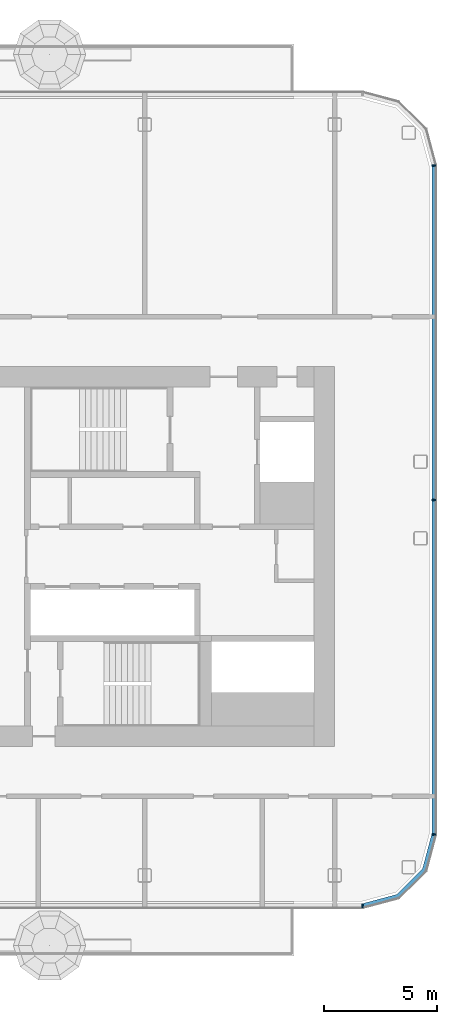
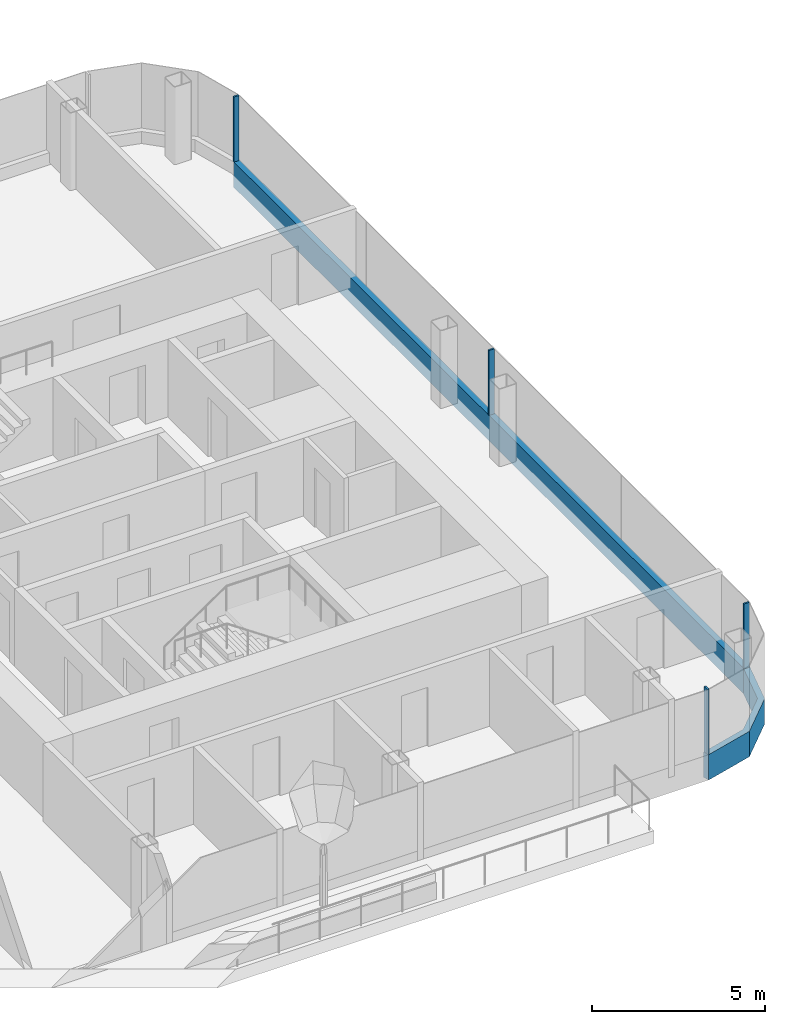
# One storey, part 7 of 29: 6 members, 3 elements without a shape of their own.
"""IFC4 building model written with IfcOpenShell, lengths in metres."""

from ifc_helpers import new_model, si_unit, direction, frame, origin, origin_2d, place, context, subcontext, project, spatial, polyline, rectangle, outline, extrude, material, layer, layer_set, material_profile, profile_set, type_object, element, aggregate, save


model = new_model("IFC4")

# Units and contexts
model_context = context("Model", 3, precision=1e-05, world=origin(), true_north=direction((0.0, 1.0)))
body_context = subcontext(model_context, "Body", "Model", "MODEL_VIEW")
ifc_project = project(units=[si_unit("LENGTHUNIT", "METRE"), si_unit("AREAUNIT", "SQUARE_METRE"), si_unit("VOLUMEUNIT", "CUBIC_METRE"), si_unit("PLANEANGLEUNIT", "RADIAN"), si_unit("MASSUNIT", "GRAM", prefix="KILO")], contexts=[model_context])

# Site, building, storey
site_placement = place(None, origin())
site = spatial("IfcSite", under=ifc_project, at=site_placement, CompositionType="ELEMENT")
building_placement = place(site_placement, origin())
building = spatial("IfcBuilding", under=site, at=building_placement, Name="Hakoniwa Tower and Hamabe Station Hall", CompositionType="ELEMENT")
storey_placement = place(building_placement, frame((0.0, 0.0, 205.800048828125)))
storey = spatial("IfcBuildingStorey", under=building, at=storey_placement, Name="L58", CompositionType="ELEMENT", Elevation=205.800048828125)

# Curtain wall, member
ifc_material_1 = material(Name="Dark low-e laminated glass", Category="glass")
ifc_layer = layer(ifc_material_1, 0.199951171875)
ifc_layer_set = layer_set([ifc_layer], Name="CW-1 UNITISED GUEST")
curtain_wall_type = type_object("IfcCurtainWallType", Name="CW-1 UNITISED GUEST", PredefinedType="NOTDEFINED", material=ifc_layer_set)
curtain_wall_1_placement = place(storey_placement, origin())
curtain_wall_1 = element("IfcCurtainWall", 1, at=curtain_wall_1_placement, inside=storey, type_object=curtain_wall_type, Name="CW-1 curtain wall", PredefinedType="NOTDEFINED")
ifc_material_2 = material(Name="Aluminium 6063-T5 black anodised", Category="aluminium")
ifc_material_profile_1 = material_profile(ifc_material_2, rectangle(XDim=0.199951171875, YDim=0.89990234375, at=origin_2d()), Name="CW SLAB-EDGE BAND 900X200")
ifc_profile_set_1 = profile_set([ifc_material_profile_1], Name="Aluminium 6063-T5 black anodised")
member_type_1 = type_object("IfcMemberType", Name="CW SLAB-EDGE BAND 900X200", PredefinedType="USERDEFINED", material=ifc_profile_set_1)
member_1_placement = place(storey_placement, frame((38.0, -12.28955078125, -0.10009765625), z_axis=(0.0, 1.0, 0.0), x_axis=(-1.0, 0.0, 0.0)))
member_1 = element("IfcMember", 2, at=member_1_placement, type_object=member_type_1, Name="CW-1 transom", ObjectType="TRANSOM", PredefinedType="USERDEFINED", context=body_context, shape_type="SweptSolid", body=[
    extrude(rectangle(XDim=0.199951171875, YDim=0.89990234375, at=origin_2d()), origin(), (0.0, 0.0, 1.0), 29.5791015625),
])

curtain_wall_2_placement = place(storey_placement, origin())
curtain_wall_2 = element("IfcCurtainWall", 3, at=curtain_wall_2_placement, inside=storey, type_object=curtain_wall_type, Name="CW-1 curtain wall", PredefinedType="NOTDEFINED")
member_2_placement = place(storey_placement, frame((0.0, 0.0, -0.550048828125)))
member_2 = element("IfcMember", 4, at=member_2_placement, type_object=member_type_1, Name="CW-1 transom", ObjectType="TRANSOM", PredefinedType="USERDEFINED", context=body_context, shape_type="SweptSolid", body=[
    extrude(outline(polyline([(34.839599609375, -15.550048828125), (36.455322265625, -15.116943359375), (37.6669921875, -13.9052734375), (38.10009765625, -12.28955078125), (37.90673828125, -12.23779296875), (37.48779296875, -13.8017578125), (36.351806640625, -14.937744140625), (34.787841796875, -15.35693359375), (34.839599609375, -15.550048828125)])), origin(), (0.0, 0.0, 1.0), 0.89990234375),
])
aggregate(curtain_wall_2, [member_2])

# Member
ifc_material_3 = material(Name="Aluminium 6063-T5 black anodised", Category="aluminium")
ifc_material_profile_2 = material_profile(ifc_material_3, rectangle(XDim=0.06005859375, YDim=0.179931640625, at=origin_2d()), Name="CW-1 MULLION 60X180")
ifc_profile_set_2 = profile_set([ifc_material_profile_2], Name="Aluminium 6063-T5 black anodised")
member_type_2 = type_object("IfcMemberType", Name="CW-1 MULLION 60X180", PredefinedType="MULLION", material=ifc_profile_set_2)
member_3_placement = place(storey_placement, frame((37.98193359375, -12.28955078125, 0.349853515625), z_axis=(0.0, 0.0, 1.0), x_axis=(0.0, 1.0, 0.0)))
member_3 = element("IfcMember", 5, at=member_3_placement, type_object=member_type_2, Name="CW-1 mullion", PredefinedType="MULLION", context=body_context, shape_type="SweptSolid", body=[
    extrude(rectangle(XDim=0.06005859375, YDim=0.179931640625, at=origin_2d()), origin(), (0.0, 0.0, 1.0), 2.300048828125),
])

member_4_placement = place(storey_placement, frame((37.98193359375, 2.5, 0.349853515625), z_axis=(0.0, 0.0, 1.0), x_axis=(0.0, 1.0, 0.0)))
member_4 = element("IfcMember", 6, at=member_4_placement, type_object=member_type_2, Name="CW-1 mullion", PredefinedType="MULLION", context=body_context, shape_type="SweptSolid", body=[
    extrude(rectangle(XDim=0.06005859375, YDim=0.179931640625, at=origin_2d()), origin(), (0.0, 0.0, 1.0), 2.300048828125),
])

member_5_placement = place(storey_placement, frame((37.98193359375, 17.28955078125, 0.349853515625), z_axis=(0.0, 0.0, 1.0), x_axis=(0.0, 1.0, 0.0)))
member_5 = element("IfcMember", 7, at=member_5_placement, type_object=member_type_2, Name="CW-1 mullion", PredefinedType="MULLION", context=body_context, shape_type="SweptSolid", body=[
    extrude(rectangle(XDim=0.06005859375, YDim=0.179931640625, at=origin_2d()), origin(), (0.0, 0.0, 1.0), 2.300048828125),
])

aggregate(curtain_wall_1, [member_3, member_4, member_5, member_1])

# Curtain wall, member
curtain_wall_3_placement = place(storey_placement, origin())
curtain_wall_3 = element("IfcCurtainWall", 8, at=curtain_wall_3_placement, inside=storey, type_object=curtain_wall_type, Name="CW-1 curtain wall", PredefinedType="NOTDEFINED")
member_6_placement = place(storey_placement, frame((34.839599609375, -15.431884765625, 0.349853515625), z_axis=(0.0, 0.0, 1.0), x_axis=(1.0, 0.0, 0.0)))
member_6 = element("IfcMember", 9, at=member_6_placement, type_object=member_type_2, Name="CW-1 mullion", PredefinedType="MULLION", context=body_context, shape_type="SweptSolid", body=[
    extrude(rectangle(XDim=0.06005859375, YDim=0.179931640625, at=origin_2d()), origin(), (0.0, 0.0, 1.0), 2.300048828125),
])
aggregate(curtain_wall_3, [member_6])

save(model, "model.ifc")
